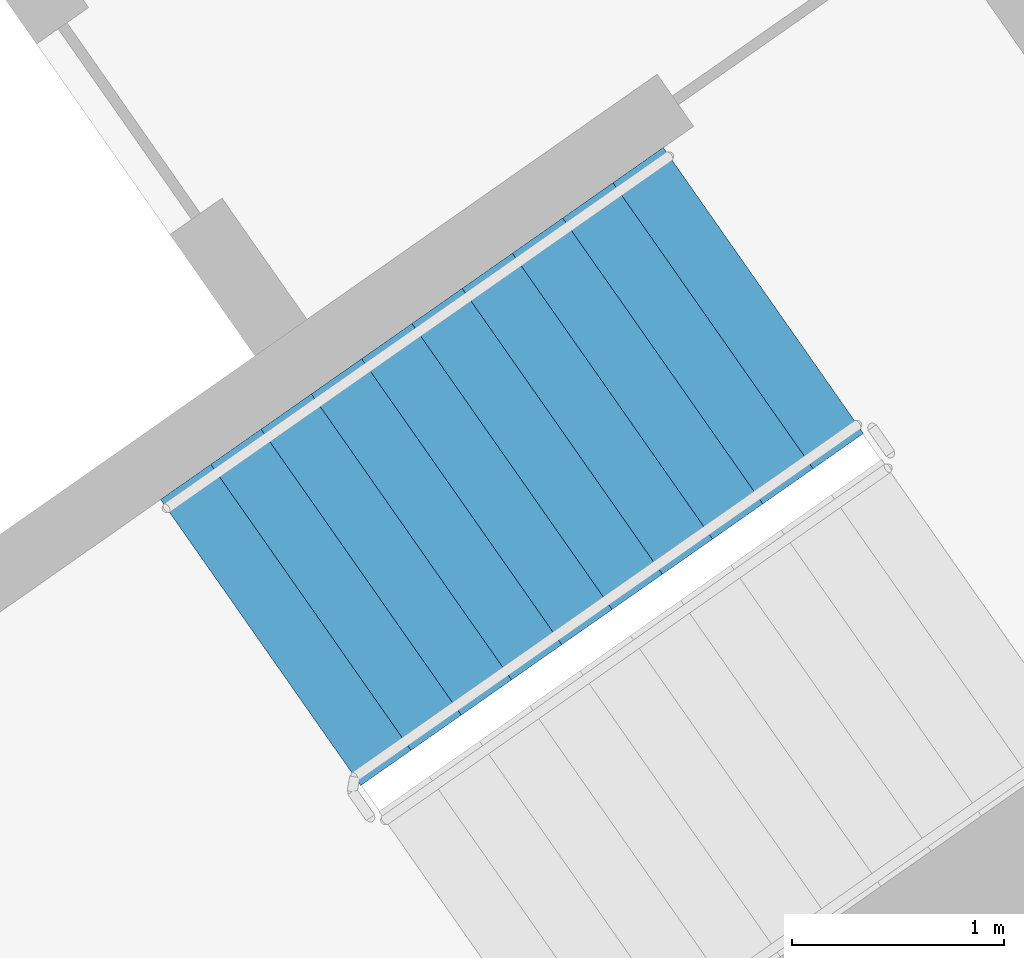
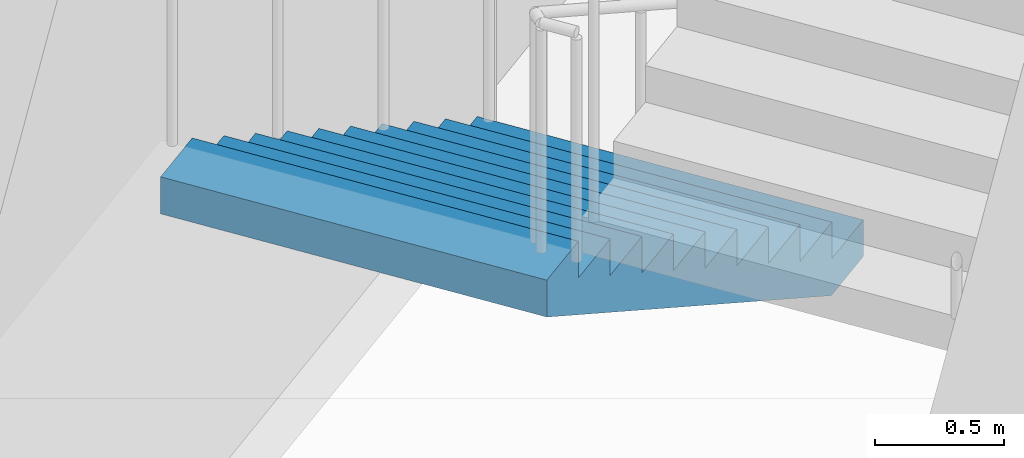
# One storey, part 16 of 31: 1 stair flight, 1 element without a shape of its own.
"""IFC4 building model written with IfcOpenShell, lengths in metres."""

from ifc_helpers import new_model, si_unit, direction, frame, origin, place, context, subcontext, project, spatial, faceted_brep, material, type_object, element, aggregate, save


model = new_model("IFC4")

# Units and contexts
model_context = context("Model", 3, precision=1e-05, world=origin(), true_north=direction((0.0, 1.0)))
body_context = subcontext(model_context, "Body", "Model", "MODEL_VIEW")
ifc_project = project(units=[si_unit("LENGTHUNIT", "METRE"), si_unit("AREAUNIT", "SQUARE_METRE"), si_unit("VOLUMEUNIT", "CUBIC_METRE"), si_unit("PLANEANGLEUNIT", "RADIAN"), si_unit("MASSUNIT", "GRAM", prefix="KILO")], contexts=[model_context])

# Site, building, storey
site_placement = place(None, origin())
site = spatial("IfcSite", under=ifc_project, at=site_placement, CompositionType="ELEMENT")
building_placement = place(site_placement, origin())
building = spatial("IfcBuilding", under=site, at=building_placement, Name="Qamariyya Broadcast Tower", CompositionType="ELEMENT")
storey_placement = place(building_placement, frame((0.0, 0.0, 51.89990234375)))
storey = spatial("IfcBuildingStorey", under=building, at=storey_placement, Name="L09", CompositionType="ELEMENT", Elevation=51.89990234375)

# Stair, stair flight
ifc_material = material(Name="Concrete C50/60", Category="concrete")
stair_type = type_object("IfcStairType", Name="Exit stair 22 risers of 173 mm", PredefinedType="HALF_TURN_STAIR", material=ifc_material)
stair_placement = place(storey_placement, origin())
stair = element("IfcStair", 1, at=stair_placement, inside=storey, type_object=stair_type, Name="L09 Stair E1", PredefinedType="HALF_TURN_STAIR")
stair_flight_type = type_object("IfcStairFlightType", Name="Exit stair flight 11 risers of 173 mm", PredefinedType="STRAIGHT", material=ifc_material)
stair_flight_placement = place(storey_placement, frame((46.036376953125, -55.508056640625, 0.0), z_axis=(0.0, 0.0, 1.0), x_axis=(-0.819152044289, -0.573576436351, 0.0)))
stair_flight = element("IfcStairFlight", 2, at=stair_flight_placement, type_object=stair_flight_type, Name="ST-E1 flight 1", NumberOfRisers=11, NumberOfTreads=10, PredefinedType="STRAIGHT", RiserHeight=0.172727273, TreadLength=0.29, context=body_context, shape_type="Brep", body=[
    faceted_brep([(0.0, 0.824951171875, 0.0), (0.0, 0.824951171875, 0.172607421875), (0.2900390625, 0.824951171875, 0.172607421875), (0.2900390625, 0.824951171875, 0.345458984375), (0.580078125, 0.824951171875, 0.345458984375), (0.580078125, 0.824951171875, 0.51806640625), (0.8701171875, 0.824951171875, 0.51806640625), (0.8701171875, 0.824951171875, 0.69091796875), (1.159912109375, 0.824951171875, 0.69091796875), (1.159912109375, 0.824951171875, 0.863525390625), (1.449951171875, 0.824951171875, 0.863525390625), (1.449951171875, 0.824951171875, 1.036376953125), (1.739990234375, 0.824951171875, 1.036376953125), (1.739990234375, 0.824951171875, 1.208984375), (2.030029296875, 0.824951171875, 1.208984375), (2.030029296875, 0.824951171875, 1.3818359375), (2.320068359375, 0.824951171875, 1.3818359375), (2.320068359375, 0.824951171875, 1.554443359375), (2.610107421875, 0.824951171875, 1.554443359375), (2.610107421875, 0.824951171875, 1.727294921875), (2.89990234375, 0.824951171875, 1.727294921875), (2.89990234375, 0.824951171875, 1.552734375), (0.29296875, 0.824951171875, 0.0), (0.29296875, -0.824951171875, 0.0), (2.89990234375, -0.824951171875, 1.552734375), (2.89990234375, -0.824951171875, 1.727294921875), (2.610107421875, -0.824951171875, 1.727294921875), (2.610107421875, -0.824951171875, 1.554443359375), (2.320068359375, -0.824951171875, 1.554443359375), (2.320068359375, -0.824951171875, 1.3818359375), (2.030029296875, -0.824951171875, 1.3818359375), (2.030029296875, -0.824951171875, 1.208984375), (1.739990234375, -0.824951171875, 1.208984375), (1.739990234375, -0.824951171875, 1.036376953125), (1.449951171875, -0.824951171875, 1.036376953125), (1.449951171875, -0.824951171875, 0.863525390625), (1.159912109375, -0.824951171875, 0.863525390625), (1.159912109375, -0.824951171875, 0.69091796875), (0.8701171875, -0.824951171875, 0.69091796875), (0.8701171875, -0.824951171875, 0.51806640625), (0.580078125, -0.824951171875, 0.51806640625), (0.580078125, -0.824951171875, 0.345458984375), (0.2900390625, -0.824951171875, 0.345458984375), (0.2900390625, -0.824951171875, 0.172607421875), (0.0, -0.824951171875, 0.172607421875), (0.0, -0.824951171875, 0.0), (0.0, 0.10009765625, 0.0), (0.0, 0.086669921875, 0.0), (0.0, 0.0732421875, 0.0), (0.0, 0.06005859375, 0.0), (0.0, 0.046630859375, 0.0), (0.0, 0.033447265625, 0.0), (0.0, 0.02001953125, 0.0), (0.0, 0.006591796875, 0.0), (0.0, -0.006591796875, 0.0), (0.0, -0.02001953125, 0.0), (0.0, -0.033447265625, 0.0), (0.0, -0.046630859375, 0.0), (0.0, -0.06005859375, 0.0), (0.0, -0.0732421875, 0.0), (0.0, -0.086669921875, 0.0), (0.0, -0.10009765625, 0.0), (0.0, -0.10009765625, 0.172607421875), (0.0, -0.086669921875, 0.172607421875), (0.0, -0.0732421875, 0.172607421875), (0.0, -0.06005859375, 0.172607421875), (0.0, -0.046630859375, 0.172607421875), (0.0, -0.033447265625, 0.172607421875), (0.0, -0.02001953125, 0.172607421875), (0.0, -0.006591796875, 0.172607421875), (0.0, 0.006591796875, 0.172607421875), (0.0, 0.02001953125, 0.172607421875), (0.0, 0.033447265625, 0.172607421875), (0.0, 0.046630859375, 0.172607421875), (0.0, 0.06005859375, 0.172607421875), (0.0, 0.0732421875, 0.172607421875), (0.0, 0.086669921875, 0.172607421875), (0.0, 0.10009765625, 0.172607421875), (0.2900390625, -0.10009765625, 0.172607421875), (0.2900390625, -0.086669921875, 0.172607421875), (0.2900390625, -0.0732421875, 0.172607421875), (0.2900390625, -0.06005859375, 0.172607421875), (0.2900390625, -0.046630859375, 0.172607421875), (0.2900390625, -0.033447265625, 0.172607421875), (0.2900390625, -0.02001953125, 0.172607421875), (0.2900390625, -0.006591796875, 0.172607421875), (0.2900390625, 0.006591796875, 0.172607421875), (0.2900390625, 0.02001953125, 0.172607421875), (0.2900390625, 0.033447265625, 0.172607421875), (0.2900390625, 0.046630859375, 0.172607421875), (0.2900390625, 0.06005859375, 0.172607421875), (0.2900390625, 0.0732421875, 0.172607421875), (0.2900390625, 0.086669921875, 0.172607421875), (0.2900390625, 0.10009765625, 0.172607421875), (0.2900390625, -0.10009765625, 0.345458984375), (0.2900390625, -0.086669921875, 0.345458984375), (0.2900390625, -0.0732421875, 0.345458984375), (0.2900390625, -0.06005859375, 0.345458984375), (0.2900390625, -0.046630859375, 0.345458984375), (0.2900390625, -0.033447265625, 0.345458984375), (0.2900390625, -0.02001953125, 0.345458984375), (0.2900390625, -0.006591796875, 0.345458984375), (0.2900390625, 0.006591796875, 0.345458984375), (0.2900390625, 0.02001953125, 0.345458984375), (0.2900390625, 0.033447265625, 0.345458984375), (0.2900390625, 0.046630859375, 0.345458984375), (0.2900390625, 0.06005859375, 0.345458984375), (0.2900390625, 0.0732421875, 0.345458984375), (0.2900390625, 0.086669921875, 0.345458984375), (0.2900390625, 0.10009765625, 0.345458984375), (0.580078125, -0.10009765625, 0.345458984375), (0.580078125, -0.086669921875, 0.345458984375), (0.580078125, -0.0732421875, 0.345458984375), (0.580078125, -0.06005859375, 0.345458984375), (0.580078125, -0.046630859375, 0.345458984375), (0.580078125, -0.033447265625, 0.345458984375), (0.580078125, -0.02001953125, 0.345458984375), (0.580078125, -0.006591796875, 0.345458984375), (0.580078125, 0.006591796875, 0.345458984375), (0.580078125, 0.02001953125, 0.345458984375), (0.580078125, 0.033447265625, 0.345458984375), (0.580078125, 0.046630859375, 0.345458984375), (0.580078125, 0.06005859375, 0.345458984375), (0.580078125, 0.0732421875, 0.345458984375), (0.580078125, 0.086669921875, 0.345458984375), (0.580078125, 0.10009765625, 0.345458984375), (0.580078125, -0.10009765625, 0.51806640625), (0.580078125, -0.086669921875, 0.51806640625), (0.580078125, -0.0732421875, 0.51806640625), (0.580078125, -0.06005859375, 0.51806640625), (0.580078125, -0.046630859375, 0.51806640625), (0.580078125, -0.033447265625, 0.51806640625), (0.580078125, -0.02001953125, 0.51806640625), (0.580078125, -0.006591796875, 0.51806640625), (0.580078125, 0.006591796875, 0.51806640625), (0.580078125, 0.02001953125, 0.51806640625), (0.580078125, 0.033447265625, 0.51806640625), (0.580078125, 0.046630859375, 0.51806640625), (0.580078125, 0.06005859375, 0.51806640625), (0.580078125, 0.0732421875, 0.51806640625), (0.580078125, 0.086669921875, 0.51806640625), (0.580078125, 0.10009765625, 0.51806640625), (0.8701171875, -0.10009765625, 0.51806640625), (0.8701171875, -0.086669921875, 0.51806640625), (0.8701171875, -0.0732421875, 0.51806640625), (0.8701171875, -0.06005859375, 0.51806640625), (0.8701171875, -0.046630859375, 0.51806640625), (0.8701171875, -0.033447265625, 0.51806640625), (0.8701171875, -0.02001953125, 0.51806640625), (0.8701171875, -0.006591796875, 0.51806640625), (0.8701171875, 0.006591796875, 0.51806640625), (0.8701171875, 0.02001953125, 0.51806640625), (0.8701171875, 0.033447265625, 0.51806640625), (0.8701171875, 0.046630859375, 0.51806640625), (0.8701171875, 0.06005859375, 0.51806640625), (0.8701171875, 0.0732421875, 0.51806640625), (0.8701171875, 0.086669921875, 0.51806640625), (0.8701171875, 0.10009765625, 0.51806640625), (0.8701171875, -0.10009765625, 0.69091796875), (0.8701171875, -0.086669921875, 0.69091796875), (0.8701171875, -0.0732421875, 0.69091796875), (0.8701171875, -0.06005859375, 0.69091796875), (0.8701171875, -0.046630859375, 0.69091796875), (0.8701171875, -0.033447265625, 0.69091796875), (0.8701171875, -0.02001953125, 0.69091796875), (0.8701171875, -0.006591796875, 0.69091796875), (0.8701171875, 0.006591796875, 0.69091796875), (0.8701171875, 0.02001953125, 0.69091796875), (0.8701171875, 0.033447265625, 0.69091796875), (0.8701171875, 0.046630859375, 0.69091796875), (0.8701171875, 0.06005859375, 0.69091796875), (0.8701171875, 0.0732421875, 0.69091796875), (0.8701171875, 0.086669921875, 0.69091796875), (0.8701171875, 0.10009765625, 0.69091796875), (1.159912109375, -0.10009765625, 0.69091796875), (1.159912109375, -0.086669921875, 0.69091796875), (1.159912109375, -0.0732421875, 0.69091796875), (1.159912109375, -0.06005859375, 0.69091796875), (1.159912109375, -0.046630859375, 0.69091796875), (1.159912109375, -0.033447265625, 0.69091796875), (1.159912109375, -0.02001953125, 0.69091796875), (1.159912109375, -0.006591796875, 0.69091796875), (1.159912109375, 0.006591796875, 0.69091796875), (1.159912109375, 0.02001953125, 0.69091796875), (1.159912109375, 0.033447265625, 0.69091796875), (1.159912109375, 0.046630859375, 0.69091796875), (1.159912109375, 0.06005859375, 0.69091796875), (1.159912109375, 0.0732421875, 0.69091796875), (1.159912109375, 0.086669921875, 0.69091796875), (1.159912109375, 0.10009765625, 0.69091796875), (1.159912109375, -0.10009765625, 0.863525390625), (1.159912109375, -0.086669921875, 0.863525390625), (1.159912109375, -0.0732421875, 0.863525390625), (1.159912109375, -0.06005859375, 0.863525390625), (1.159912109375, -0.046630859375, 0.863525390625), (1.159912109375, -0.033447265625, 0.863525390625), (1.159912109375, -0.02001953125, 0.863525390625), (1.159912109375, -0.006591796875, 0.863525390625), (1.159912109375, 0.006591796875, 0.863525390625), (1.159912109375, 0.02001953125, 0.863525390625), (1.159912109375, 0.033447265625, 0.863525390625), (1.159912109375, 0.046630859375, 0.863525390625), (1.159912109375, 0.06005859375, 0.863525390625), (1.159912109375, 0.0732421875, 0.863525390625), (1.159912109375, 0.086669921875, 0.863525390625), (1.159912109375, 0.10009765625, 0.863525390625), (1.449951171875, -0.10009765625, 0.863525390625), (1.449951171875, -0.086669921875, 0.863525390625), (1.449951171875, -0.0732421875, 0.863525390625), (1.449951171875, -0.06005859375, 0.863525390625), (1.449951171875, -0.046630859375, 0.863525390625), (1.449951171875, -0.033447265625, 0.863525390625), (1.449951171875, -0.02001953125, 0.863525390625), (1.449951171875, -0.006591796875, 0.863525390625), (1.449951171875, 0.006591796875, 0.863525390625), (1.449951171875, 0.02001953125, 0.863525390625), (1.449951171875, 0.033447265625, 0.863525390625), (1.449951171875, 0.046630859375, 0.863525390625), (1.449951171875, 0.06005859375, 0.863525390625), (1.449951171875, 0.0732421875, 0.863525390625), (1.449951171875, 0.086669921875, 0.863525390625), (1.449951171875, 0.10009765625, 0.863525390625), (1.449951171875, -0.10009765625, 1.036376953125), (1.449951171875, -0.086669921875, 1.036376953125), (1.449951171875, -0.0732421875, 1.036376953125), (1.449951171875, -0.06005859375, 1.036376953125), (1.449951171875, -0.046630859375, 1.036376953125), (1.449951171875, -0.033447265625, 1.036376953125), (1.449951171875, -0.02001953125, 1.036376953125), (1.449951171875, -0.006591796875, 1.036376953125), (1.449951171875, 0.006591796875, 1.036376953125), (1.449951171875, 0.02001953125, 1.036376953125), (1.449951171875, 0.033447265625, 1.036376953125), (1.449951171875, 0.046630859375, 1.036376953125), (1.449951171875, 0.06005859375, 1.036376953125), (1.449951171875, 0.0732421875, 1.036376953125), (1.449951171875, 0.086669921875, 1.036376953125), (1.449951171875, 0.10009765625, 1.036376953125), (1.739990234375, -0.10009765625, 1.036376953125), (1.739990234375, -0.086669921875, 1.036376953125), (1.739990234375, -0.0732421875, 1.036376953125), (1.739990234375, -0.06005859375, 1.036376953125), (1.739990234375, -0.046630859375, 1.036376953125), (1.739990234375, -0.033447265625, 1.036376953125), (1.739990234375, -0.02001953125, 1.036376953125), (1.739990234375, -0.006591796875, 1.036376953125), (1.739990234375, 0.006591796875, 1.036376953125), (1.739990234375, 0.02001953125, 1.036376953125), (1.739990234375, 0.033447265625, 1.036376953125), (1.739990234375, 0.046630859375, 1.036376953125), (1.739990234375, 0.06005859375, 1.036376953125), (1.739990234375, 0.0732421875, 1.036376953125), (1.739990234375, 0.086669921875, 1.036376953125), (1.739990234375, 0.10009765625, 1.036376953125), (1.739990234375, -0.10009765625, 1.208984375), (1.739990234375, -0.086669921875, 1.208984375), (1.739990234375, -0.0732421875, 1.208984375), (1.739990234375, -0.06005859375, 1.208984375), (1.739990234375, -0.046630859375, 1.208984375), (1.739990234375, -0.033447265625, 1.208984375), (1.739990234375, -0.02001953125, 1.208984375), (1.739990234375, -0.006591796875, 1.208984375), (1.739990234375, 0.006591796875, 1.208984375), (1.739990234375, 0.02001953125, 1.208984375), (1.739990234375, 0.033447265625, 1.208984375), (1.739990234375, 0.046630859375, 1.208984375), (1.739990234375, 0.06005859375, 1.208984375), (1.739990234375, 0.0732421875, 1.208984375), (1.739990234375, 0.086669921875, 1.208984375), (1.739990234375, 0.10009765625, 1.208984375), (2.030029296875, -0.10009765625, 1.208984375), (2.030029296875, -0.086669921875, 1.208984375), (2.030029296875, -0.0732421875, 1.208984375), (2.030029296875, -0.06005859375, 1.208984375), (2.030029296875, -0.046630859375, 1.208984375), (2.030029296875, -0.033447265625, 1.208984375), (2.030029296875, -0.02001953125, 1.208984375), (2.030029296875, -0.006591796875, 1.208984375), (2.030029296875, 0.006591796875, 1.208984375), (2.030029296875, 0.02001953125, 1.208984375), (2.030029296875, 0.033447265625, 1.208984375), (2.030029296875, 0.046630859375, 1.208984375), (2.030029296875, 0.06005859375, 1.208984375), (2.030029296875, 0.0732421875, 1.208984375), (2.030029296875, 0.086669921875, 1.208984375), (2.030029296875, 0.10009765625, 1.208984375), (2.030029296875, -0.10009765625, 1.3818359375), (2.030029296875, -0.086669921875, 1.3818359375), (2.030029296875, -0.0732421875, 1.3818359375), (2.030029296875, -0.06005859375, 1.3818359375), (2.030029296875, -0.046630859375, 1.3818359375), (2.030029296875, -0.033447265625, 1.3818359375), (2.030029296875, -0.02001953125, 1.3818359375), (2.030029296875, -0.006591796875, 1.3818359375), (2.030029296875, 0.006591796875, 1.3818359375), (2.030029296875, 0.02001953125, 1.3818359375), (2.030029296875, 0.033447265625, 1.3818359375), (2.030029296875, 0.046630859375, 1.3818359375), (2.030029296875, 0.06005859375, 1.3818359375), (2.030029296875, 0.0732421875, 1.3818359375), (2.030029296875, 0.086669921875, 1.3818359375), (2.030029296875, 0.10009765625, 1.3818359375), (2.320068359375, -0.10009765625, 1.3818359375), (2.320068359375, -0.086669921875, 1.3818359375), (2.320068359375, -0.0732421875, 1.3818359375), (2.320068359375, -0.06005859375, 1.3818359375), (2.320068359375, -0.046630859375, 1.3818359375), (2.320068359375, -0.033447265625, 1.3818359375), (2.320068359375, -0.02001953125, 1.3818359375), (2.320068359375, -0.006591796875, 1.3818359375), (2.320068359375, 0.006591796875, 1.3818359375), (2.320068359375, 0.02001953125, 1.3818359375), (2.320068359375, 0.033447265625, 1.3818359375), (2.320068359375, 0.046630859375, 1.3818359375), (2.320068359375, 0.06005859375, 1.3818359375), (2.320068359375, 0.0732421875, 1.3818359375), (2.320068359375, 0.086669921875, 1.3818359375), (2.320068359375, 0.10009765625, 1.3818359375), (2.320068359375, -0.10009765625, 1.554443359375), (2.320068359375, -0.086669921875, 1.554443359375), (2.320068359375, -0.0732421875, 1.554443359375), (2.320068359375, -0.06005859375, 1.554443359375), (2.320068359375, -0.046630859375, 1.554443359375), (2.320068359375, -0.033447265625, 1.554443359375), (2.320068359375, -0.02001953125, 1.554443359375), (2.320068359375, -0.006591796875, 1.554443359375), (2.320068359375, 0.006591796875, 1.554443359375), (2.320068359375, 0.02001953125, 1.554443359375), (2.320068359375, 0.033447265625, 1.554443359375), (2.320068359375, 0.046630859375, 1.554443359375), (2.320068359375, 0.06005859375, 1.554443359375), (2.320068359375, 0.0732421875, 1.554443359375), (2.320068359375, 0.086669921875, 1.554443359375), (2.320068359375, 0.10009765625, 1.554443359375), (2.610107421875, -0.10009765625, 1.554443359375), (2.610107421875, -0.086669921875, 1.554443359375), (2.610107421875, -0.0732421875, 1.554443359375), (2.610107421875, -0.06005859375, 1.554443359375), (2.610107421875, -0.046630859375, 1.554443359375), (2.610107421875, -0.033447265625, 1.554443359375), (2.610107421875, -0.02001953125, 1.554443359375), (2.610107421875, -0.006591796875, 1.554443359375), (2.610107421875, 0.006591796875, 1.554443359375), (2.610107421875, 0.02001953125, 1.554443359375), (2.610107421875, 0.033447265625, 1.554443359375), (2.610107421875, 0.046630859375, 1.554443359375), (2.610107421875, 0.06005859375, 1.554443359375), (2.610107421875, 0.0732421875, 1.554443359375), (2.610107421875, 0.086669921875, 1.554443359375), (2.610107421875, 0.10009765625, 1.554443359375), (2.610107421875, -0.10009765625, 1.727294921875), (2.610107421875, -0.086669921875, 1.727294921875), (2.610107421875, -0.0732421875, 1.727294921875), (2.610107421875, -0.06005859375, 1.727294921875), (2.610107421875, -0.046630859375, 1.727294921875), (2.610107421875, -0.033447265625, 1.727294921875), (2.610107421875, -0.02001953125, 1.727294921875), (2.610107421875, -0.006591796875, 1.727294921875), (2.610107421875, 0.006591796875, 1.727294921875), (2.610107421875, 0.02001953125, 1.727294921875), (2.610107421875, 0.033447265625, 1.727294921875), (2.610107421875, 0.046630859375, 1.727294921875), (2.610107421875, 0.06005859375, 1.727294921875), (2.610107421875, 0.0732421875, 1.727294921875), (2.610107421875, 0.086669921875, 1.727294921875), (2.610107421875, 0.10009765625, 1.727294921875), (2.89990234375, -0.10009765625, 1.727294921875), (2.89990234375, -0.086669921875, 1.727294921875), (2.89990234375, -0.0732421875, 1.727294921875), (2.89990234375, -0.06005859375, 1.727294921875), (2.89990234375, -0.046630859375, 1.727294921875), (2.89990234375, -0.033447265625, 1.727294921875), (2.89990234375, -0.02001953125, 1.727294921875), (2.89990234375, -0.006591796875, 1.727294921875), (2.89990234375, 0.006591796875, 1.727294921875), (2.89990234375, 0.02001953125, 1.727294921875), (2.89990234375, 0.033447265625, 1.727294921875), (2.89990234375, 0.046630859375, 1.727294921875), (2.89990234375, 0.06005859375, 1.727294921875), (2.89990234375, 0.0732421875, 1.727294921875), (2.89990234375, 0.086669921875, 1.727294921875), (2.89990234375, 0.10009765625, 1.727294921875), (2.89990234375, -0.10009765625, 1.552734375), (2.89990234375, -0.086669921875, 1.552734375), (2.89990234375, -0.0732421875, 1.552734375), (2.89990234375, -0.06005859375, 1.552734375), (2.89990234375, -0.046630859375, 1.552734375), (2.89990234375, -0.033447265625, 1.552734375), (2.89990234375, -0.02001953125, 1.552734375), (2.89990234375, -0.006591796875, 1.552734375), (2.89990234375, 0.006591796875, 1.552734375), (2.89990234375, 0.02001953125, 1.552734375), (2.89990234375, 0.033447265625, 1.552734375), (2.89990234375, 0.046630859375, 1.552734375), (2.89990234375, 0.06005859375, 1.552734375), (2.89990234375, 0.0732421875, 1.552734375), (2.89990234375, 0.086669921875, 1.552734375), (2.89990234375, 0.10009765625, 1.552734375), (0.29296875, -0.10009765625, 0.0), (0.29296875, -0.086669921875, 0.0), (0.29296875, -0.0732421875, 0.0), (0.29296875, -0.06005859375, 0.0), (0.29296875, -0.046630859375, 0.0), (0.29296875, -0.033447265625, 0.0), (0.29296875, -0.02001953125, 0.0), (0.29296875, -0.006591796875, 0.0), (0.29296875, 0.006591796875, 0.0), (0.29296875, 0.02001953125, 0.0), (0.29296875, 0.033447265625, 0.0), (0.29296875, 0.046630859375, 0.0), (0.29296875, 0.06005859375, 0.0), (0.29296875, 0.0732421875, 0.0), (0.29296875, 0.086669921875, 0.0), (0.29296875, 0.10009765625, 0.0)], [[[0, 1, 2, 3, 4, 5, 6, 7, 8, 9, 10, 11, 12, 13, 14, 15, 16, 17, 18, 19, 20, 21, 22]], [[23, 24, 25, 26, 27, 28, 29, 30, 31, 32, 33, 34, 35, 36, 37, 38, 39, 40, 41, 42, 43, 44, 45]], [[0, 46, 47, 48, 49, 50, 51, 52, 53, 54, 55, 56, 57, 58, 59, 60, 61, 45, 44, 62, 63, 64, 65, 66, 67, 68, 69, 70, 71, 72, 73, 74, 75, 76, 77, 1]], [[1, 77, 76, 75, 74, 73, 72, 71, 70, 69, 68, 67, 66, 65, 64, 63, 62, 44, 43, 78, 79, 80, 81, 82, 83, 84, 85, 86, 87, 88, 89, 90, 91, 92, 93, 2]], [[2, 93, 92, 91, 90, 89, 88, 87, 86, 85, 84, 83, 82, 81, 80, 79, 78, 43, 42, 94, 95, 96, 97, 98, 99, 100, 101, 102, 103, 104, 105, 106, 107, 108, 109, 3]], [[3, 109, 108, 107, 106, 105, 104, 103, 102, 101, 100, 99, 98, 97, 96, 95, 94, 42, 41, 110, 111, 112, 113, 114, 115, 116, 117, 118, 119, 120, 121, 122, 123, 124, 125, 4]], [[4, 125, 124, 123, 122, 121, 120, 119, 118, 117, 116, 115, 114, 113, 112, 111, 110, 41, 40, 126, 127, 128, 129, 130, 131, 132, 133, 134, 135, 136, 137, 138, 139, 140, 141, 5]], [[5, 141, 140, 139, 138, 137, 136, 135, 134, 133, 132, 131, 130, 129, 128, 127, 126, 40, 39, 142, 143, 144, 145, 146, 147, 148, 149, 150, 151, 152, 153, 154, 155, 156, 157, 6]], [[6, 157, 156, 155, 154, 153, 152, 151, 150, 149, 148, 147, 146, 145, 144, 143, 142, 39, 38, 158, 159, 160, 161, 162, 163, 164, 165, 166, 167, 168, 169, 170, 171, 172, 173, 7]], [[7, 173, 172, 171, 170, 169, 168, 167, 166, 165, 164, 163, 162, 161, 160, 159, 158, 38, 37, 174, 175, 176, 177, 178, 179, 180, 181, 182, 183, 184, 185, 186, 187, 188, 189, 8]], [[8, 189, 188, 187, 186, 185, 184, 183, 182, 181, 180, 179, 178, 177, 176, 175, 174, 37, 36, 190, 191, 192, 193, 194, 195, 196, 197, 198, 199, 200, 201, 202, 203, 204, 205, 9]], [[9, 205, 204, 203, 202, 201, 200, 199, 198, 197, 196, 195, 194, 193, 192, 191, 190, 36, 35, 206, 207, 208, 209, 210, 211, 212, 213, 214, 215, 216, 217, 218, 219, 220, 221, 10]], [[10, 221, 220, 219, 218, 217, 216, 215, 214, 213, 212, 211, 210, 209, 208, 207, 206, 35, 34, 222, 223, 224, 225, 226, 227, 228, 229, 230, 231, 232, 233, 234, 235, 236, 237, 11]], [[11, 237, 236, 235, 234, 233, 232, 231, 230, 229, 228, 227, 226, 225, 224, 223, 222, 34, 33, 238, 239, 240, 241, 242, 243, 244, 245, 246, 247, 248, 249, 250, 251, 252, 253, 12]], [[12, 253, 252, 251, 250, 249, 248, 247, 246, 245, 244, 243, 242, 241, 240, 239, 238, 33, 32, 254, 255, 256, 257, 258, 259, 260, 261, 262, 263, 264, 265, 266, 267, 268, 269, 13]], [[13, 269, 268, 267, 266, 265, 264, 263, 262, 261, 260, 259, 258, 257, 256, 255, 254, 32, 31, 270, 271, 272, 273, 274, 275, 276, 277, 278, 279, 280, 281, 282, 283, 284, 285, 14]], [[14, 285, 284, 283, 282, 281, 280, 279, 278, 277, 276, 275, 274, 273, 272, 271, 270, 31, 30, 286, 287, 288, 289, 290, 291, 292, 293, 294, 295, 296, 297, 298, 299, 300, 301, 15]], [[15, 301, 300, 299, 298, 297, 296, 295, 294, 293, 292, 291, 290, 289, 288, 287, 286, 30, 29, 302, 303, 304, 305, 306, 307, 308, 309, 310, 311, 312, 313, 314, 315, 316, 317, 16]], [[16, 317, 316, 315, 314, 313, 312, 311, 310, 309, 308, 307, 306, 305, 304, 303, 302, 29, 28, 318, 319, 320, 321, 322, 323, 324, 325, 326, 327, 328, 329, 330, 331, 332, 333, 17]], [[17, 333, 332, 331, 330, 329, 328, 327, 326, 325, 324, 323, 322, 321, 320, 319, 318, 28, 27, 334, 335, 336, 337, 338, 339, 340, 341, 342, 343, 344, 345, 346, 347, 348, 349, 18]], [[18, 349, 348, 347, 346, 345, 344, 343, 342, 341, 340, 339, 338, 337, 336, 335, 334, 27, 26, 350, 351, 352, 353, 354, 355, 356, 357, 358, 359, 360, 361, 362, 363, 364, 365, 19]], [[19, 365, 364, 363, 362, 361, 360, 359, 358, 357, 356, 355, 354, 353, 352, 351, 350, 26, 25, 366, 367, 368, 369, 370, 371, 372, 373, 374, 375, 376, 377, 378, 379, 380, 381, 20]], [[20, 381, 380, 379, 378, 377, 376, 375, 374, 373, 372, 371, 370, 369, 368, 367, 366, 25, 24, 382, 383, 384, 385, 386, 387, 388, 389, 390, 391, 392, 393, 394, 395, 396, 397, 21]], [[21, 397, 396, 395, 394, 393, 392, 391, 390, 389, 388, 387, 386, 385, 384, 383, 382, 24, 23, 398, 399, 400, 401, 402, 403, 404, 405, 406, 407, 408, 409, 410, 411, 412, 413, 22]], [[22, 413, 412, 411, 410, 409, 408, 407, 406, 405, 404, 403, 402, 401, 400, 399, 398, 23, 45, 61, 60, 59, 58, 57, 56, 55, 54, 53, 52, 51, 50, 49, 48, 47, 46, 0]]]),
])
aggregate(stair, [stair_flight])

save(model, "model.ifc")
